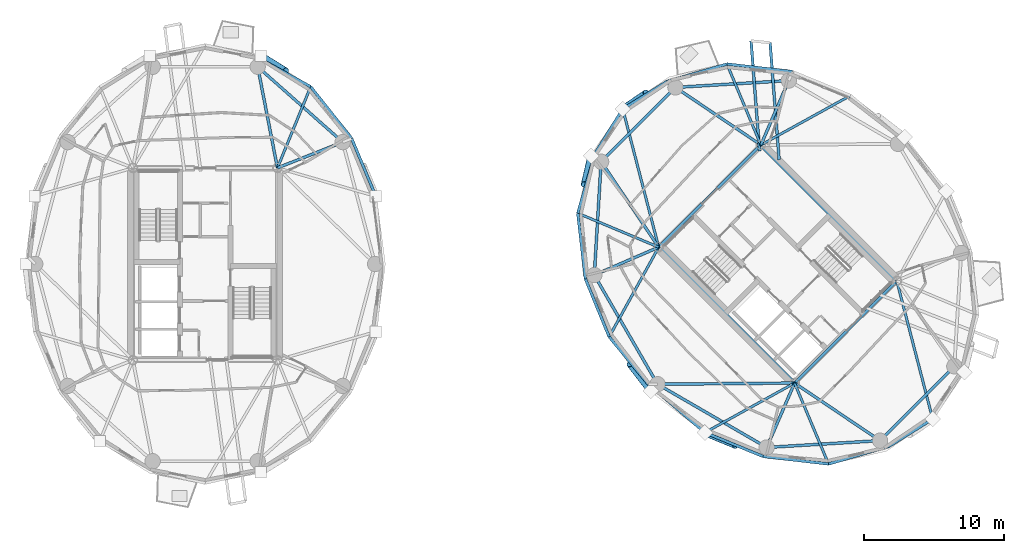
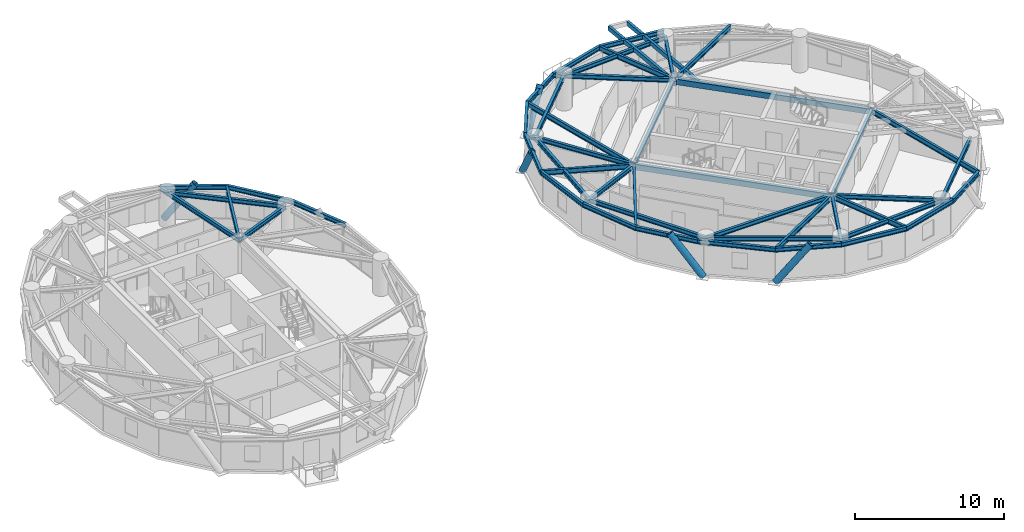
# One storey, part 4 of 16: 48 beams, 5 members.
"""IFC4 building model written with IfcOpenShell, lengths in metres."""

from ifc_helpers import new_model, si_unit, direction, frame, origin, origin_2d, place, context, subcontext, project, spatial, hollow_rectangle, hollow_circle, i_section, extrude, material, material_profile, profile_set, type_object, element, save


model = new_model("IFC4")

# Units and contexts
model_context = context("Model", 3, precision=1e-05, world=origin(), true_north=direction((0.0, 1.0)))
body_context = subcontext(model_context, "Body", "Model", "MODEL_VIEW")
ifc_project = project(units=[si_unit("LENGTHUNIT", "METRE"), si_unit("AREAUNIT", "SQUARE_METRE"), si_unit("VOLUMEUNIT", "CUBIC_METRE"), si_unit("PLANEANGLEUNIT", "RADIAN"), si_unit("MASSUNIT", "GRAM", prefix="KILO")], contexts=[model_context])

# Site, building, storey
site_placement = place(None, origin())
site = spatial("IfcSite", under=ifc_project, at=site_placement, CompositionType="ELEMENT")
building_placement = place(site_placement, origin())
building = spatial("IfcBuilding", under=site, at=building_placement, Name="Cununo Teusaquillo Station Towers", CompositionType="ELEMENT")
storey_placement = place(building_placement, frame((0.0, 0.0, 214.1201171875)))
storey = spatial("IfcBuildingStorey", under=building, at=storey_placement, Name="L68", CompositionType="ELEMENT", Elevation=214.1201171875)

# Beams
ifc_material_1 = material(Name="Steel EN 10025-2 S355J2", Category="steel")
ifc_material_profile_1 = material_profile(ifc_material_1, hollow_rectangle(XDim=0.199951171875, YDim=0.35009765625, WallThickness=0.013916015625, at=origin_2d()), Name="RHS 350x200x14")
ifc_profile_set_1 = profile_set([ifc_material_profile_1], Name="Steel EN 10025-2 S355J2")
beam_type_1 = type_object("IfcBeamType", Name="BM-BAL-CANT", PredefinedType="BEAM", material=ifc_profile_set_1)
beam_1_placement = place(storey_placement, frame((57.599853515625, 31.966064453125, 2.52490234375), z_axis=(-0.076963106063, 0.997033941401, 0.0), x_axis=(-0.997033941401, -0.076963106063, 0.0)))
element("IfcBeam", 1, at=beam_1_placement, inside=storey, type_object=beam_type_1, Name="L68 Tower B Balcony Cantilever Bracket 1A", PredefinedType="BEAM", context=body_context, shape_type="SweptSolid", body=[
    extrude(hollow_rectangle(XDim=0.199951171875, YDim=0.35009765625, WallThickness=0.013916015625, at=origin_2d()), origin(), (0.0, 0.0, 1.0), 8.403076171875),
])
beam_2_placement = place(storey_placement, frame((56.1982421875, 32.602783203125, 2.52490234375), z_axis=(-0.076982450804, 0.997032447952, 0.0), x_axis=(-0.997032447952, -0.076982450804, 0.0)))
element("IfcBeam", 2, at=beam_2_placement, inside=storey, type_object=beam_type_1, Name="L68 Tower B Balcony Cantilever Bracket 1B", PredefinedType="BEAM", context=body_context, shape_type="SweptSolid", body=[
    extrude(hollow_rectangle(XDim=0.199951171875, YDim=0.35009765625, WallThickness=0.013916015625, at=origin_2d()), origin(), (0.0, 0.0, 1.0), 7.89990234375),
])
ifc_material_2 = material(Name="Steel EN 10025-2 S355J2", Category="steel")
ifc_material_profile_2 = material_profile(ifc_material_2, hollow_rectangle(XDim=0.25, YDim=0.449951171875, WallThickness=0.01611328125, at=origin_2d()), Name="RHS 450x250x16")
ifc_profile_set_2 = profile_set([ifc_material_profile_2], Name="Steel EN 10025-2 S355J2")
beam_type_2 = type_object("IfcBeamType", Name="BM-COUP-1", PredefinedType="USERDEFINED", material=ifc_profile_set_2)
for number, where, z_axis, x_axis, name in (
    (3, (58.70556640625, 15.975830078125, 2.474853515625), (-0.707106781187, 0.707106781187, 0.0), (-0.707106781187, -0.707106781187, 0.0), "L68 Tower B Core Beam 1"),
    (4, (66.024169921875, 23.29443359375, 2.474853515625), (-0.707106781187, 0.707106781187, 0.0), (-0.707106781187, -0.707106781187, 0.0), "L68 Tower B Core Beam 2"),
):
    element("IfcBeam", number, at=place(storey_placement, frame(where, z_axis=z_axis, x_axis=x_axis)), inside=storey, type_object=beam_type_2, Name=name, ObjectType="COUPLING BEAM", PredefinedType="USERDEFINED", context=body_context, shape_type="SweptSolid", body=[
        extrude(hollow_rectangle(XDim=0.25, YDim=0.449951171875, WallThickness=0.01611328125, at=origin_2d()), origin(), (0.0, 0.0, 1.0), 13.760009765625),
    ])
ifc_material_3 = material(Name="Steel ASTM A572 Grade 50", Category="steel")
ifc_material_profile_3 = material_profile(ifc_material_3, i_section(OverallWidth=0.180908203125, OverallDepth=0.4169921875, WebThickness=0.010986328125, FlangeThickness=0.018310546875, FilletRadius=0.012939453125, at=origin_2d()), Name="W16X57")
ifc_profile_set_3 = profile_set([ifc_material_profile_3], Name="Steel ASTM A572 Grade 50")
beam_type_3 = type_object("IfcBeamType", Name="BM-JOIST-1", PredefinedType="JOIST", material=ifc_profile_set_3)
beam_3_placement = place(storey_placement, frame((21.675048828125, 31.3798828125, 2.491455078125), z_axis=(0.378576847217, 0.925569862707, 0.0), x_axis=(-0.925569862707, 0.378576847217, 0.0)))
element("IfcBeam", 5, at=beam_3_placement, inside=storey, type_object=beam_type_3, Name="L68 Tower A Radial Spandrel Joist V03", PredefinedType="JOIST", context=body_context, shape_type="SweptSolid", body=[
    extrude(i_section(OverallWidth=0.180908203125, OverallDepth=0.4169921875, WebThickness=0.010986328125, FlangeThickness=0.018310546875, FilletRadius=0.012939453125, at=origin_2d()), origin(), (0.0, 0.0, 1.0), 6.28125),
])
beam_4_placement = place(storey_placement, frame((56.29443359375, 33.024169921875, 2.491455078125), z_axis=(0.8753153358, 0.483552544108, 0.0), x_axis=(-0.483552544108, 0.8753153358, 0.0)))
element("IfcBeam", 6, at=beam_4_placement, inside=storey, type_object=beam_type_3, Name="L68 Tower B Radial Spandrel Joist V01", PredefinedType="JOIST", context=body_context, shape_type="SweptSolid", body=[
    extrude(i_section(OverallWidth=0.180908203125, OverallDepth=0.4169921875, WebThickness=0.010986328125, FlangeThickness=0.018310546875, FilletRadius=0.012939453125, at=origin_2d()), origin(), (0.0, 0.0, 1.0), 7.3330078125),
])
beam_5_placement = place(storey_placement, frame((56.29443359375, 33.024169921875, 2.491455078125), z_axis=(-0.386786389381, 0.922169338565, 0.0), x_axis=(-0.922169338565, -0.386786389381, 0.0)))
element("IfcBeam", 7, at=beam_5_placement, inside=storey, type_object=beam_type_3, Name="L68 Tower B Radial Spandrel Joist V03", PredefinedType="JOIST", context=body_context, shape_type="SweptSolid", body=[
    extrude(i_section(OverallWidth=0.180908203125, OverallDepth=0.4169921875, WebThickness=0.010986328125, FlangeThickness=0.018310546875, FilletRadius=0.012939453125, at=origin_2d()), origin(), (0.0, 0.0, 1.0), 6.281005859375),
])
beam_6_placement = place(storey_placement, frame((48.975830078125, 25.70556640625, 2.491455078125), z_axis=(-0.251559992432, 0.967841707206, 0.0), x_axis=(-0.967841707206, -0.251559992432, 0.0)))
element("IfcBeam", 8, at=beam_6_placement, inside=storey, type_object=beam_type_3, Name="L68 Tower B Radial Spandrel Joist V05", PredefinedType="JOIST", context=body_context, shape_type="SweptSolid", body=[
    extrude(i_section(OverallWidth=0.180908203125, OverallDepth=0.4169921875, WebThickness=0.010986328125, FlangeThickness=0.018310546875, FilletRadius=0.012939453125, at=origin_2d()), origin(), (0.0, 0.0, 1.0), 10.217529296875),
])
beam_7_placement = place(storey_placement, frame((48.975830078125, 25.70556640625, 2.491455078125), z_axis=(-0.922169338565, 0.386786389381, 0.0), x_axis=(-0.386786389381, -0.922169338565, 0.0)))
element("IfcBeam", 9, at=beam_7_placement, inside=storey, type_object=beam_type_3, Name="L68 Tower B Radial Spandrel Joist V07", PredefinedType="JOIST", context=body_context, shape_type="SweptSolid", body=[
    extrude(i_section(OverallWidth=0.180908203125, OverallDepth=0.4169921875, WebThickness=0.010986328125, FlangeThickness=0.018310546875, FilletRadius=0.012939453125, at=origin_2d()), origin(), (0.0, 0.0, 1.0), 6.281005859375),
])
for number, where, z_axis, x_axis, name in (
    (10, (48.975830078125, 25.70556640625, 2.491455078125), (-0.483552544108, -0.8753153358, 0.0), (0.8753153358, -0.483552544108, 0.0), "L68 Tower B Radial Spandrel Joist V09"),
    (11, (58.70556640625, 15.975830078125, 2.491455078125), (-0.8753153358, -0.483552544108, 0.0), (0.483552544108, -0.8753153358, 0.0), "L68 Tower B Radial Spandrel Joist V11"),
):
    element("IfcBeam", number, at=place(storey_placement, frame(where, z_axis=z_axis, x_axis=x_axis)), inside=storey, type_object=beam_type_3, Name=name, PredefinedType="JOIST", context=body_context, shape_type="SweptSolid", body=[
        extrude(i_section(OverallWidth=0.180908203125, OverallDepth=0.4169921875, WebThickness=0.010986328125, FlangeThickness=0.018310546875, FilletRadius=0.012939453125, at=origin_2d()), origin(), (0.0, 0.0, 1.0), 7.3330078125),
    ])
beam_8_placement = place(storey_placement, frame((58.70556640625, 15.975830078125, 2.491455078125), z_axis=(0.386786389381, -0.922169338565, 0.0), x_axis=(0.922169338565, 0.386786389381, 0.0)))
element("IfcBeam", 12, at=beam_8_placement, inside=storey, type_object=beam_type_3, Name="L68 Tower B Radial Spandrel Joist V13", PredefinedType="JOIST", context=body_context, shape_type="SweptSolid", body=[
    extrude(i_section(OverallWidth=0.180908203125, OverallDepth=0.4169921875, WebThickness=0.010986328125, FlangeThickness=0.018310546875, FilletRadius=0.012939453125, at=origin_2d()), origin(), (0.0, 0.0, 1.0), 6.281005859375),
])
beam_9_placement = place(storey_placement, frame((66.024169921875, 23.29443359375, 2.491455078125), z_axis=(0.251559992432, -0.967841707206, 0.0), x_axis=(0.967841707206, 0.251559992432, 0.0)))
element("IfcBeam", 13, at=beam_9_placement, inside=storey, type_object=beam_type_3, Name="L68 Tower B Radial Spandrel Joist V15", PredefinedType="JOIST", context=body_context, shape_type="SweptSolid", body=[
    extrude(i_section(OverallWidth=0.180908203125, OverallDepth=0.4169921875, WebThickness=0.010986328125, FlangeThickness=0.018310546875, FilletRadius=0.012939453125, at=origin_2d()), origin(), (0.0, 0.0, 1.0), 10.217529296875),
])
ifc_material_4 = material(Name="Steel ASTM A572 Grade 50", Category="steel")
ifc_material_profile_4 = material_profile(ifc_material_4, i_section(OverallWidth=0.2041015625, OverallDepth=0.35009765625, WebThickness=0.008544921875, FlangeThickness=0.01513671875, FilletRadius=0.011962890625, at=origin_2d()), Name="W14X48")
ifc_profile_set_4 = profile_set([ifc_material_profile_4], Name="Steel ASTM A572 Grade 50")
beam_type_4 = type_object("IfcBeamType", Name="BM-LINTEL-1", PredefinedType="LINTEL", material=ifc_profile_set_4)
for number, where, z_axis, x_axis, name in (
    (14, (58.70556640625, 15.975830078125, 2.52490234375), (0.707106781187, 0.707106781187, 0.0), (-0.707106781187, 0.707106781187, 0.0), "L68 Tower B Core Beam 3"),
    (15, (48.975830078125, 25.70556640625, 2.52490234375), (0.707106781187, 0.707106781187, 0.0), (-0.707106781187, 0.707106781187, 0.0), "L68 Tower B Core Beam 4"),
):
    element("IfcBeam", number, at=place(storey_placement, frame(where, z_axis=z_axis, x_axis=x_axis)), inside=storey, type_object=beam_type_4, Name=name, PredefinedType="LINTEL", context=body_context, shape_type="SweptSolid", body=[
        extrude(i_section(OverallWidth=0.2041015625, OverallDepth=0.35009765625, WebThickness=0.008544921875, FlangeThickness=0.01513671875, FilletRadius=0.011962890625, at=origin_2d()), origin(), (0.0, 0.0, 1.0), 10.35009765625),
    ])
ifc_material_5 = material(Name="Steel ASTM A572 Grade 50", Category="steel")
ifc_material_profile_5 = material_profile(ifc_material_5, i_section(OverallWidth=0.2041015625, OverallDepth=0.35009765625, WebThickness=0.008544921875, FlangeThickness=0.01513671875, FilletRadius=0.011962890625, at=origin_2d()), Name="W14X48")
ifc_profile_set_5 = profile_set([ifc_material_profile_5], Name="Steel ASTM A572 Grade 50")
beam_type_5 = type_object("IfcBeamType", Name="BM-RAD-G3", PredefinedType="BEAM", material=ifc_profile_set_5)
beam_10_placement = place(storey_placement, frame((21.675048828125, 31.3798828125, 2.52490234375), z_axis=(0.929864104313, 0.367903176814, 0.0), x_axis=(-0.367903176814, 0.929864104313, 0.0)))
element("IfcBeam", 16, at=beam_10_placement, inside=storey, type_object=beam_type_5, Name="L68 Tower A Radial Girder 02A", PredefinedType="BEAM", context=body_context, shape_type="SweptSolid", body=[
    extrude(i_section(OverallWidth=0.2041015625, OverallDepth=0.35009765625, WebThickness=0.008544921875, FlangeThickness=0.01513671875, FilletRadius=0.011962890625, at=origin_2d()), origin(), (0.0, 0.0, 1.0), 5.02490234375),
])
beam_11_placement = place(storey_placement, frame((21.675048828125, 31.3798828125, 2.52490234375), z_axis=(-0.191548487699, 0.981483151593, 0.0), x_axis=(-0.981483151593, -0.191548487699, 0.0)))
element("IfcBeam", 17, at=beam_11_placement, inside=storey, type_object=beam_type_5, Name="L68 Tower A Continuous Overhanging Radial Girder 03", PredefinedType="BEAM", context=body_context, shape_type="SweptSolid", body=[
    extrude(i_section(OverallWidth=0.2041015625, OverallDepth=0.35009765625, WebThickness=0.008544921875, FlangeThickness=0.01513671875, FilletRadius=0.011962890625, at=origin_2d()), origin(), (0.0, 0.0, 1.0), 8.1240234375),
])
beam_12_placement = place(storey_placement, frame((56.29443359375, 33.024169921875, 2.52490234375), z_axis=(0.397346986387, 0.917668443616, 0.0), x_axis=(-0.917668443616, 0.397346986387, 0.0)))
element("IfcBeam", 18, at=beam_12_placement, inside=storey, type_object=beam_type_5, Name="L68 Tower B Radial Girder 02A", PredefinedType="BEAM", context=body_context, shape_type="SweptSolid", body=[
    extrude(i_section(OverallWidth=0.2041015625, OverallDepth=0.35009765625, WebThickness=0.008544921875, FlangeThickness=0.01513671875, FilletRadius=0.011962890625, at=origin_2d()), origin(), (0.0, 0.0, 1.0), 5.02490234375),
])
for number, where, z_axis, x_axis, name in (
    (19, (56.29443359375, 33.024169921875, 2.52490234375), (-0.829456817529, 0.558570844079, 0.0), (-0.558570844079, -0.829456817529, 0.0), "L68 Tower B Continuous Overhanging Radial Girder 03"),
    (20, (48.975830078125, 25.70556640625, 2.52490234375), (-0.558570844079, 0.829456817529, 0.0), (-0.829456817529, -0.558570844079, 0.0), "L68 Tower B Continuous Overhanging Radial Girder 04"),
):
    element("IfcBeam", number, at=place(storey_placement, frame(where, z_axis=z_axis, x_axis=x_axis)), inside=storey, type_object=beam_type_5, Name=name, PredefinedType="BEAM", context=body_context, shape_type="SweptSolid", body=[
        extrude(i_section(OverallWidth=0.2041015625, OverallDepth=0.35009765625, WebThickness=0.008544921875, FlangeThickness=0.01513671875, FilletRadius=0.011962890625, at=origin_2d()), origin(), (0.0, 0.0, 1.0), 8.1240234375),
    ])
beam_13_placement = place(storey_placement, frame((48.975830078125, 25.70556640625, 2.52490234375), z_axis=(-0.917665176837, -0.397354530893, 0.0), x_axis=(0.397354530893, -0.917665176837, 0.0)))
element("IfcBeam", 21, at=beam_13_placement, inside=storey, type_object=beam_type_5, Name="L68 Tower B Continuous Overhanging Radial Girder 05", PredefinedType="BEAM", context=body_context, shape_type="SweptSolid", body=[
    extrude(i_section(OverallWidth=0.2041015625, OverallDepth=0.35009765625, WebThickness=0.008544921875, FlangeThickness=0.01513671875, FilletRadius=0.011962890625, at=origin_2d()), origin(), (0.0, 0.0, 1.0), 5.716552734375),
])
beam_14_placement = place(storey_placement, frame((58.70556640625, 15.975830078125, 2.52490234375), z_axis=(-0.999964431382, -0.008434214327, 0.0), x_axis=(0.008434214327, -0.999964431382, 0.0)))
element("IfcBeam", 22, at=beam_14_placement, inside=storey, type_object=beam_type_5, Name="L68 Tower B Radial Girder 06A", PredefinedType="BEAM", context=body_context, shape_type="SweptSolid", body=[
    extrude(i_section(OverallWidth=0.2041015625, OverallDepth=0.35009765625, WebThickness=0.008544921875, FlangeThickness=0.01513671875, FilletRadius=0.011962890625, at=origin_2d()), origin(), (0.0, 0.0, 1.0), 9.812744140625),
])
beam_15_placement = place(storey_placement, frame((58.70556640625, 15.975830078125, 2.52490234375), z_axis=(-0.397354530893, -0.917665176837, 0.0), x_axis=(0.917665176837, -0.397354530893, 0.0)))
element("IfcBeam", 23, at=beam_15_placement, inside=storey, type_object=beam_type_5, Name="L68 Tower B Continuous Overhanging Radial Girder 07", PredefinedType="BEAM", context=body_context, shape_type="SweptSolid", body=[
    extrude(i_section(OverallWidth=0.2041015625, OverallDepth=0.35009765625, WebThickness=0.008544921875, FlangeThickness=0.01513671875, FilletRadius=0.011962890625, at=origin_2d()), origin(), (0.0, 0.0, 1.0), 5.716552734375),
])
beam_16_placement = place(storey_placement, frame((58.70556640625, 15.975830078125, 2.52490234375), z_axis=(0.829456817529, -0.558570844079, 0.0), x_axis=(0.558570844079, 0.829456817529, 0.0)))
element("IfcBeam", 24, at=beam_16_placement, inside=storey, type_object=beam_type_5, Name="L68 Tower B Continuous Overhanging Radial Girder 08", PredefinedType="BEAM", context=body_context, shape_type="SweptSolid", body=[
    extrude(i_section(OverallWidth=0.2041015625, OverallDepth=0.35009765625, WebThickness=0.008544921875, FlangeThickness=0.01513671875, FilletRadius=0.011962890625, at=origin_2d()), origin(), (0.0, 0.0, 1.0), 8.1240234375),
])
ifc_material_6 = material(Name="Steel ASTM A572 Grade 50", Category="steel")
ifc_material_profile_6 = material_profile(ifc_material_6, i_section(OverallWidth=0.2041015625, OverallDepth=0.35009765625, WebThickness=0.008544921875, FlangeThickness=0.01513671875, FilletRadius=0.011962890625, at=origin_2d()), Name="W14X48")
ifc_profile_set_6 = profile_set([ifc_material_profile_6], Name="Steel ASTM A572 Grade 50")
beam_type_6 = type_object("IfcBeamType", Name="BM-RING-Z4", PredefinedType="SPANDREL", material=ifc_profile_set_6)
beam_17_placement = place(storey_placement, frame((26.347412109375, 33.228515625, 2.52490234375), z_axis=(-0.74832120039, 0.66333655187, 0.0), x_axis=(-0.66333655187, -0.74832120039, 0.0)))
element("IfcBeam", 25, at=beam_17_placement, inside=storey, type_object=beam_type_6, Name="L68 Tower A Structural Column Ring Girder 02", PredefinedType="SPANDREL", context=body_context, shape_type="SweptSolid", body=[
    extrude(i_section(OverallWidth=0.2041015625, OverallDepth=0.35009765625, WebThickness=0.008544921875, FlangeThickness=0.01513671875, FilletRadius=0.011962890625, at=origin_2d()), origin(), (0.0, 0.0, 1.0), 8.1328125),
])
beam_18_placement = place(storey_placement, frame((28.72119140625, 29.348388671875, 2.52490234375), z_axis=(-0.386115454066, 0.922450462698, 0.0), x_axis=(-0.922450462698, -0.386115454066, 0.0)))
element("IfcBeam", 26, at=beam_18_placement, inside=storey, type_object=beam_type_6, Name="L68 Tower A Spandrel Ring Beam 02", PredefinedType="SPANDREL", context=body_context, shape_type="SweptSolid", body=[
    extrude(i_section(OverallWidth=0.2041015625, OverallDepth=0.35009765625, WebThickness=0.008544921875, FlangeThickness=0.01513671875, FilletRadius=0.011962890625, at=origin_2d()), origin(), (0.0, 0.0, 1.0), 4.482421875),
])
beam_19_placement = place(storey_placement, frame((26.990478515625, 33.483154296875, 2.52490234375), z_axis=(-0.620710872531, 0.784039547932, 0.0), x_axis=(-0.784039547932, -0.620710872531, 0.0)))
element("IfcBeam", 27, at=beam_19_placement, inside=storey, type_object=beam_type_6, Name="L68 Tower A Spandrel Ring Beam 03", PredefinedType="SPANDREL", context=body_context, shape_type="SweptSolid", body=[
    extrude(i_section(OverallWidth=0.2041015625, OverallDepth=0.35009765625, WebThickness=0.008544921875, FlangeThickness=0.01513671875, FilletRadius=0.011962890625, at=origin_2d()), origin(), (0.0, 0.0, 1.0), 4.732421875),
])
beam_20_placement = place(storey_placement, frame((24.052978515625, 37.193603515625, 2.52490234375), z_axis=(-0.876576300909, 0.481262910149, 0.0), x_axis=(-0.481262910149, -0.876576300909, 0.0)))
element("IfcBeam", 28, at=beam_20_placement, inside=storey, type_object=beam_type_6, Name="L68 Tower A Spandrel Ring Beam 04", PredefinedType="SPANDREL", context=body_context, shape_type="SweptSolid", body=[
    extrude(i_section(OverallWidth=0.2041015625, OverallDepth=0.35009765625, WebThickness=0.008544921875, FlangeThickness=0.01513671875, FilletRadius=0.011962890625, at=origin_2d()), origin(), (0.0, 0.0, 1.0), 4.488037109375),
])
beam_21_placement = place(storey_placement, frame((58.291015625, 37.63525390625, 2.52490234375), z_axis=(-0.998190567048, -0.06012979176, 0.0), x_axis=(0.06012979176, -0.998190567048, 0.0)))
element("IfcBeam", 29, at=beam_21_placement, inside=storey, type_object=beam_type_6, Name="L68 Tower B Structural Column Ring Girder 02", PredefinedType="SPANDREL", context=body_context, shape_type="SweptSolid", body=[
    extrude(i_section(OverallWidth=0.2041015625, OverallDepth=0.35009765625, WebThickness=0.008544921875, FlangeThickness=0.01513671875, FilletRadius=0.011962890625, at=origin_2d()), origin(), (0.0, 0.0, 1.0), 8.132568359375),
])
beam_22_placement = place(storey_placement, frame((50.173095703125, 37.146240234375, 2.52490234375), z_axis=(-0.707106781187, -0.707106781187, 0.0), x_axis=(0.707106781187, -0.707106781187, 0.0)))
element("IfcBeam", 30, at=beam_22_placement, inside=storey, type_object=beam_type_6, Name="L68 Tower B Structural Column Ring Girder 03", PredefinedType="SPANDREL", context=body_context, shape_type="SweptSolid", body=[
    extrude(i_section(OverallWidth=0.2041015625, OverallDepth=0.35009765625, WebThickness=0.008544921875, FlangeThickness=0.01513671875, FilletRadius=0.011962890625, at=origin_2d()), origin(), (0.0, 0.0, 1.0), 7.522705078125),
])
beam_23_placement = place(storey_placement, frame((44.853759765625, 31.826904296875, 2.52490234375), z_axis=(-0.06012979176, -0.998190567048, 0.0), x_axis=(0.998190567048, -0.06012979176, 0.0)))
element("IfcBeam", 31, at=beam_23_placement, inside=storey, type_object=beam_type_6, Name="L68 Tower B Structural Column Ring Girder 04", PredefinedType="SPANDREL", context=body_context, shape_type="SweptSolid", body=[
    extrude(i_section(OverallWidth=0.2041015625, OverallDepth=0.35009765625, WebThickness=0.008544921875, FlangeThickness=0.01513671875, FilletRadius=0.011962890625, at=origin_2d()), origin(), (0.0, 0.0, 1.0), 8.132568359375),
])
for number, where, z_axis, x_axis, name in (
    (32, (44.36474609375, 23.708984375, 2.52490234375), (0.501311121078, -0.865267103202, 0.0), (0.865267103202, 0.501311121078, 0.0), "L68 Tower B Structural Column Ring Girder 05"),
    (33, (48.89306640625, 15.89306640625, 2.52490234375), (0.865267103202, -0.501311121078, 0.0), (0.501311121078, 0.865267103202, 0.0), "L68 Tower B Structural Column Ring Girder 06"),
):
    element("IfcBeam", number, at=place(storey_placement, frame(where, z_axis=z_axis, x_axis=x_axis)), inside=storey, type_object=beam_type_6, Name=name, PredefinedType="SPANDREL", context=body_context, shape_type="SweptSolid", body=[
        extrude(i_section(OverallWidth=0.2041015625, OverallDepth=0.35009765625, WebThickness=0.008544921875, FlangeThickness=0.01513671875, FilletRadius=0.011962890625, at=origin_2d()), origin(), (0.0, 0.0, 1.0), 9.032958984375),
    ])
beam_24_placement = place(storey_placement, frame((56.708984375, 11.36474609375, 2.52490234375), z_axis=(0.998190567048, 0.06012979176, 0.0), x_axis=(-0.06012979176, 0.998190567048, 0.0)))
element("IfcBeam", 34, at=beam_24_placement, inside=storey, type_object=beam_type_6, Name="L68 Tower B Structural Column Ring Girder 07", PredefinedType="SPANDREL", context=body_context, shape_type="SweptSolid", body=[
    extrude(i_section(OverallWidth=0.2041015625, OverallDepth=0.35009765625, WebThickness=0.008544921875, FlangeThickness=0.01513671875, FilletRadius=0.011962890625, at=origin_2d()), origin(), (0.0, 0.0, 1.0), 8.132568359375),
])
beam_25_placement = place(storey_placement, frame((64.826904296875, 11.853759765625, 2.52490234375), z_axis=(0.707106781187, 0.707106781187, 0.0), x_axis=(-0.707106781187, 0.707106781187, 0.0)))
element("IfcBeam", 35, at=beam_25_placement, inside=storey, type_object=beam_type_6, Name="L68 Tower B Structural Column Ring Girder 08", PredefinedType="SPANDREL", context=body_context, shape_type="SweptSolid", body=[
    extrude(i_section(OverallWidth=0.2041015625, OverallDepth=0.35009765625, WebThickness=0.008544921875, FlangeThickness=0.01513671875, FilletRadius=0.011962890625, at=origin_2d()), origin(), (0.0, 0.0, 1.0), 7.522705078125),
])
beam_26_placement = place(storey_placement, frame((58.56591796875, 38.27001953125, 2.52490234375), z_axis=(-0.993313022334, 0.115452326356, 0.0), x_axis=(-0.115452326356, -0.993313022334, 0.0)))
element("IfcBeam", 36, at=beam_26_placement, inside=storey, type_object=beam_type_6, Name="L68 Tower B Spandrel Ring Beam 03", PredefinedType="SPANDREL", context=body_context, shape_type="SweptSolid", body=[
    extrude(i_section(OverallWidth=0.2041015625, OverallDepth=0.35009765625, WebThickness=0.008544921875, FlangeThickness=0.01513671875, FilletRadius=0.011962890625, at=origin_2d()), origin(), (0.0, 0.0, 1.0), 4.732666015625),
])
beam_27_placement = place(storey_placement, frame((53.864990234375, 38.81640625, 2.52490234375), z_axis=(-0.96014487762, -0.279502797802, 0.0), x_axis=(0.279502797802, -0.96014487762, 0.0)))
element("IfcBeam", 37, at=beam_27_placement, inside=storey, type_object=beam_type_6, Name="L68 Tower B Spandrel Ring Beam 04", PredefinedType="SPANDREL", context=body_context, shape_type="SweptSolid", body=[
    extrude(i_section(OverallWidth=0.2041015625, OverallDepth=0.35009765625, WebThickness=0.008544921875, FlangeThickness=0.01513671875, FilletRadius=0.011962890625, at=origin_2d()), origin(), (0.0, 0.0, 1.0), 4.488037109375),
])
for number, where, z_axis, x_axis, name in (
    (38, (49.555908203125, 37.56201171875, 2.52490234375), (-0.848175505099, -0.529715312739, 0.0), (0.529715312739, -0.848175505099, 0.0), "L68 Tower B Spandrel Ring Beam 05"),
    (39, (46.405517578125, 35.594482421875, 2.52490234375), (-0.529715312739, -0.848175505099, 0.0), (0.848175505099, -0.529715312739, 0.0), "L68 Tower B Spandrel Ring Beam 06"),
):
    element("IfcBeam", number, at=place(storey_placement, frame(where, z_axis=z_axis, x_axis=x_axis)), inside=storey, type_object=beam_type_6, Name=name, PredefinedType="SPANDREL", context=body_context, shape_type="SweptSolid", body=[
        extrude(i_section(OverallWidth=0.2041015625, OverallDepth=0.35009765625, WebThickness=0.008544921875, FlangeThickness=0.01513671875, FilletRadius=0.011962890625, at=origin_2d()), origin(), (0.0, 0.0, 1.0), 3.71435546875),
    ])
beam_28_placement = place(storey_placement, frame((44.43798828125, 32.444091796875, 2.52490234375), z_axis=(-0.279502797802, -0.96014487762, 0.0), x_axis=(0.96014487762, -0.279502797802, 0.0)))
element("IfcBeam", 40, at=beam_28_placement, inside=storey, type_object=beam_type_6, Name="L68 Tower B Spandrel Ring Beam 07", PredefinedType="SPANDREL", context=body_context, shape_type="SweptSolid", body=[
    extrude(i_section(OverallWidth=0.2041015625, OverallDepth=0.35009765625, WebThickness=0.008544921875, FlangeThickness=0.01513671875, FilletRadius=0.011962890625, at=origin_2d()), origin(), (0.0, 0.0, 1.0), 4.488037109375),
])
beam_29_placement = place(storey_placement, frame((43.18359375, 28.135009765625, 2.52490234375), z_axis=(0.115452326356, -0.993313022334, 0.0), x_axis=(0.993313022334, 0.115452326356, 0.0)))
element("IfcBeam", 41, at=beam_29_placement, inside=storey, type_object=beam_type_6, Name="L68 Tower B Spandrel Ring Beam 08", PredefinedType="SPANDREL", context=body_context, shape_type="SweptSolid", body=[
    extrude(i_section(OverallWidth=0.2041015625, OverallDepth=0.35009765625, WebThickness=0.008544921875, FlangeThickness=0.01513671875, FilletRadius=0.011962890625, at=origin_2d()), origin(), (0.0, 0.0, 1.0), 4.732666015625),
])
beam_30_placement = place(storey_placement, frame((43.72998046875, 23.43408203125, 2.52490234375), z_axis=(0.379275405388, -0.925283830437, 0.0), x_axis=(0.925283830437, 0.379275405388, 0.0)))
element("IfcBeam", 42, at=beam_30_placement, inside=storey, type_object=beam_type_6, Name="L68 Tower B Spandrel Ring Beam 09", PredefinedType="SPANDREL", context=body_context, shape_type="SweptSolid", body=[
    extrude(i_section(OverallWidth=0.2041015625, OverallDepth=0.35009765625, WebThickness=0.008544921875, FlangeThickness=0.01513671875, FilletRadius=0.011962890625, at=origin_2d()), origin(), (0.0, 0.0, 1.0), 4.482177734375),
])
beam_31_placement = place(storey_placement, frame((45.429931640625, 19.286865234375, 2.52490234375), z_axis=(0.637524682095, -0.770429931739, 0.0), x_axis=(0.770429931739, 0.637524682095, 0.0)))
element("IfcBeam", 43, at=beam_31_placement, inside=storey, type_object=beam_type_6, Name="L68 Tower B Spandrel Ring Beam 10", PredefinedType="SPANDREL", context=body_context, shape_type="SweptSolid", body=[
    extrude(i_section(OverallWidth=0.2041015625, OverallDepth=0.35009765625, WebThickness=0.008544921875, FlangeThickness=0.01513671875, FilletRadius=0.011962890625, at=origin_2d()), origin(), (0.0, 0.0, 1.0), 4.412353515625),
])
beam_32_placement = place(storey_placement, frame((48.242919921875, 15.887451171875, 2.52490234375), z_axis=(0.760065778291, -0.649846145385, 0.0), x_axis=(0.649846145385, 0.760065778291, 0.0)))
element("IfcBeam", 44, at=beam_32_placement, inside=storey, type_object=beam_type_6, Name="L68 Tower B Spandrel Ring Beam 11", PredefinedType="SPANDREL", context=body_context, shape_type="SweptSolid", body=[
    extrude(i_section(OverallWidth=0.2041015625, OverallDepth=0.35009765625, WebThickness=0.008544921875, FlangeThickness=0.01513671875, FilletRadius=0.011962890625, at=origin_2d()), origin(), (0.0, 0.0, 1.0), 5.320556640625),
])
beam_33_placement = place(storey_placement, frame((52.286865234375, 12.429931640625, 2.52490234375), z_axis=(0.925283830437, -0.379275405388, 0.0), x_axis=(0.379275405388, 0.925283830437, 0.0)))
element("IfcBeam", 45, at=beam_33_placement, inside=storey, type_object=beam_type_6, Name="L68 Tower B Spandrel Ring Beam 12", PredefinedType="SPANDREL", context=body_context, shape_type="SweptSolid", body=[
    extrude(i_section(OverallWidth=0.2041015625, OverallDepth=0.35009765625, WebThickness=0.008544921875, FlangeThickness=0.01513671875, FilletRadius=0.011962890625, at=origin_2d()), origin(), (0.0, 0.0, 1.0), 4.482177734375),
])
beam_34_placement = place(storey_placement, frame((56.43408203125, 10.72998046875, 2.52490234375), z_axis=(0.993313022334, -0.115452326356, 0.0), x_axis=(0.115452326356, 0.993313022334, 0.0)))
element("IfcBeam", 46, at=beam_34_placement, inside=storey, type_object=beam_type_6, Name="L68 Tower B Spandrel Ring Beam 13", PredefinedType="SPANDREL", context=body_context, shape_type="SweptSolid", body=[
    extrude(i_section(OverallWidth=0.2041015625, OverallDepth=0.35009765625, WebThickness=0.008544921875, FlangeThickness=0.01513671875, FilletRadius=0.011962890625, at=origin_2d()), origin(), (0.0, 0.0, 1.0), 4.732666015625),
])
beam_35_placement = place(storey_placement, frame((61.135009765625, 10.18359375, 2.52490234375), z_axis=(0.96014487762, 0.279502797802, 0.0), x_axis=(-0.279502797802, 0.96014487762, 0.0)))
element("IfcBeam", 47, at=beam_35_placement, inside=storey, type_object=beam_type_6, Name="L68 Tower B Spandrel Ring Beam 14", PredefinedType="SPANDREL", context=body_context, shape_type="SweptSolid", body=[
    extrude(i_section(OverallWidth=0.2041015625, OverallDepth=0.35009765625, WebThickness=0.008544921875, FlangeThickness=0.01513671875, FilletRadius=0.011962890625, at=origin_2d()), origin(), (0.0, 0.0, 1.0), 4.488037109375),
])
beam_36_placement = place(storey_placement, frame((65.444091796875, 11.43798828125, 2.52490234375), z_axis=(0.848175505099, 0.529715312739, 0.0), x_axis=(-0.529715312739, 0.848175505099, 0.0)))
element("IfcBeam", 48, at=beam_36_placement, inside=storey, type_object=beam_type_6, Name="L68 Tower B Spandrel Ring Beam 15", PredefinedType="SPANDREL", context=body_context, shape_type="SweptSolid", body=[
    extrude(i_section(OverallWidth=0.2041015625, OverallDepth=0.35009765625, WebThickness=0.008544921875, FlangeThickness=0.01513671875, FilletRadius=0.011962890625, at=origin_2d()), origin(), (0.0, 0.0, 1.0), 3.71435546875),
])

# Members
ifc_material_7 = material(Name="Steel EN 10025-2 S355J2", Category="steel")
ifc_material_profile_7 = material_profile(ifc_material_7, hollow_circle(Radius=0.25390625, WallThickness=0.01806640625, at=origin_2d()), Name="CHS 508x18")
ifc_profile_set_7 = profile_set([ifc_material_profile_7], Name="Steel EN 10025-2 S355J2")
member_type = type_object("IfcMemberType", Name="MBR-DIAG-Z4", PredefinedType="BRACE", material=ifc_profile_set_7)
member_1_placement = place(storey_placement, frame((20.470947265625, 39.422119140625, -0.14013671875), z_axis=(0.498333742466, -0.310032061152, 0.809656471708), x_axis=(0.528249968439, 0.849088906325, 0.0)))
element("IfcMember", 49, at=member_1_placement, inside=storey, type_object=member_type, Name="L68 Tower A Folded-Zigzag Diagrid Tube C03", PredefinedType="BRACE", context=body_context, shape_type="SweptSolid", body=[
    extrude(hollow_circle(Radius=0.25390625, WallThickness=0.01806640625, at=origin_2d()), origin(), (0.0, 0.0, 1.0), 3.593994140625),
])
member_2_placement = place(storey_placement, frame((46.405517578125, 35.594482421875, -0.14013671875), z_axis=(0.472769490674, 0.31961201796, 0.821180349657), x_axis=(-0.560065734295, 0.828448171746, 0.0)))
element("IfcMember", 50, at=member_2_placement, inside=storey, type_object=member_type, Name="L68 Tower B Folded-Zigzag Diagrid Tube C04", PredefinedType="BRACE", context=body_context, shape_type="SweptSolid", body=[
    extrude(hollow_circle(Radius=0.25390625, WallThickness=0.01806640625, at=origin_2d()), origin(), (0.0, 0.0, 1.0), 3.54345703125),
])
member_3_placement = place(storey_placement, frame((44.140625, 32.24365234375, -0.14013671875), z_axis=(-0.13314050396, -0.571621092256, 0.809643707499), x_axis=(0.973930772574, -0.226845432471, 0.0)))
element("IfcMember", 51, at=member_3_placement, inside=storey, type_object=member_type, Name="L68 Tower B Folded-Zigzag Diagrid Tube C06", PredefinedType="BRACE", context=body_context, shape_type="SweptSolid", body=[
    extrude(hollow_circle(Radius=0.25390625, WallThickness=0.01806640625, at=origin_2d()), origin(), (0.0, 0.0, 1.0), 3.593994140625),
])
member_4_placement = place(storey_placement, frame((48.413818359375, 15.413818359375, -0.14013671875), z_axis=(-0.392580503034, 0.509500240478, 0.765695797031), x_axis=(-0.792129910102, -0.610352525613, 0.0)))
element("IfcMember", 52, at=member_4_placement, inside=storey, type_object=member_type, Name="L68 Tower B Folded-Zigzag Diagrid Tube C09", PredefinedType="BRACE", context=body_context, shape_type="SweptSolid", body=[
    extrude(hollow_circle(Radius=0.25390625, WallThickness=0.01806640625, at=origin_2d()), origin(), (0.0, 0.0, 1.0), 3.80029296875),
])
member_5_placement = place(storey_placement, frame((52.286865234375, 12.429931640625, -0.14013671875), z_axis=(0.584015766292, -0.240125007618, 0.775413157896), x_axis=(0.380273025704, 0.924874275738, 0.0)))
element("IfcMember", 53, at=member_5_placement, inside=storey, type_object=member_type, Name="L68 Tower B Folded-Zigzag Diagrid Tube C11", PredefinedType="BRACE", context=body_context, shape_type="SweptSolid", body=[
    extrude(hollow_circle(Radius=0.25390625, WallThickness=0.01806640625, at=origin_2d()), origin(), (0.0, 0.0, 1.0), 3.752685546875),
])

save(model, "model.ifc")
